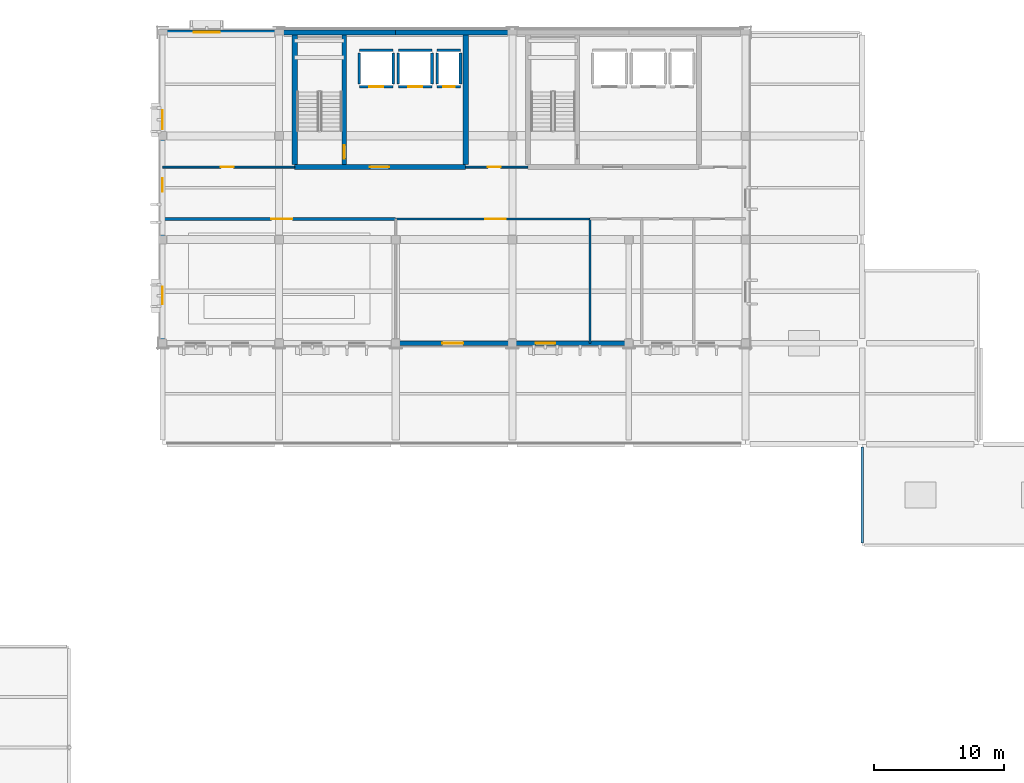
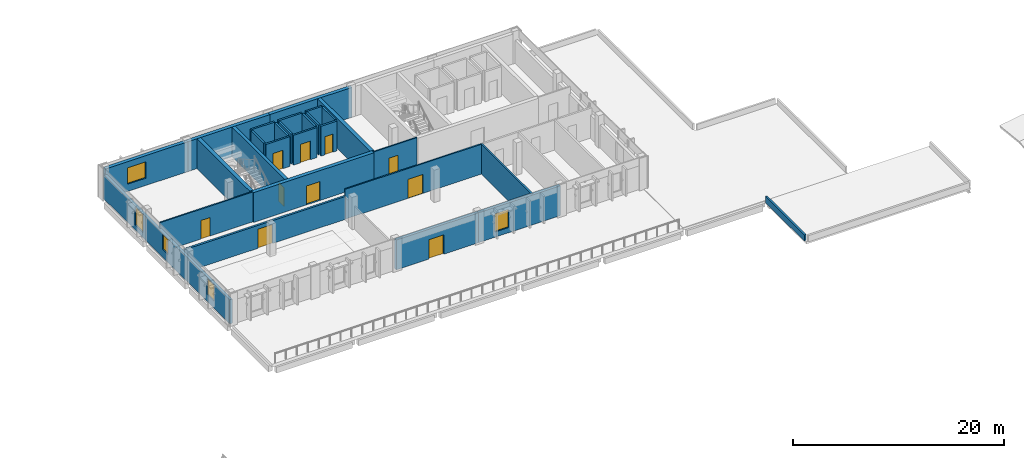
# One storey, part 12 of 23: 28 walls, 10 doors, 5 windows, 15 openings.
"""IFC4 building model written with IfcOpenShell, lengths in metres."""

from ifc_helpers import new_model, si_unit, direction, frame, frame_2d, origin, place, context, subcontext, project, spatial, rectangle, extrude, material, layer, layer_set, type_object, element, fill, save


model = new_model("IFC4")

# Units and contexts
model_context = context("Model", 3, precision=1e-05, world=origin(), true_north=direction((0.0, 1.0)))
body_context = subcontext(model_context, "Body", "Model", "MODEL_VIEW")
ifc_project = project(units=[si_unit("LENGTHUNIT", "METRE"), si_unit("AREAUNIT", "SQUARE_METRE"), si_unit("VOLUMEUNIT", "CUBIC_METRE"), si_unit("PLANEANGLEUNIT", "RADIAN"), si_unit("MASSUNIT", "GRAM", prefix="KILO")], contexts=[model_context])

# Site, building, storey
site_placement = place(None, origin())
site = spatial("IfcSite", under=ifc_project, at=site_placement, CompositionType="ELEMENT")
building_placement = place(site_placement, origin())
building = spatial("IfcBuilding", under=site, at=building_placement, Name="Vervanel Yard Central Library", CompositionType="ELEMENT")
storey_placement = place(building_placement, frame((0.0, 0.0, 16.52001953125)))
storey = spatial("IfcBuildingStorey", under=building, at=storey_placement, Name="L04", CompositionType="ELEMENT", Elevation=16.52001953125)

# Wall, openings, windows
ifc_material_1 = material(Name="Precast concrete C45/55", Category="concrete")
ifc_layer_1 = layer(ifc_material_1, 0.300048828125, Category="concrete")
ifc_layer_set_1 = layer_set([ifc_layer_1], Name="Precast concrete C45/55")
wall_type_1 = type_object("IfcWallType", Name="Bush-Hammered Precast Cladding Wall 300", PredefinedType="SOLIDWALL", material=ifc_layer_set_1)
wall_1_placement = place(storey_placement, frame((36.0, 90.0, 0.0), z_axis=(0.0, 0.0, 1.0), x_axis=(0.0, 1.0, 0.0)))
wall_1 = element("IfcWall", 1, at=wall_1_placement, inside=storey, type_object=wall_type_1, Name="L04 Bush-Hammered Precast Cladding Wall 300 EWALL-L04-0070", PredefinedType="SOLIDWALL", context=body_context, shape_type="SweptSolid", body=[
    extrude(rectangle(XDim=24.0, YDim=0.300048828125, at=frame_2d((12.0, 0.0))), origin(), (0.0, 0.0, 1.0), 2.784912109375),
])
opening_1_placement = place(wall_1_placement, frame((3.0, 0.0, 0.81494140625)))
opening_1 = element("IfcOpeningElement", 2, at=opening_1_placement, cuts=wall_1, Name="Opening WN-17", PredefinedType="OPENING", context=body_context, shape_type="SweptSolid", body=[
    extrude(rectangle(XDim=1.35009765625, YDim=1.85009765625, at=frame_2d((0.675048828125, 0.925048828125))), frame((0.0, 0.159912109375, 0.0), z_axis=(0.0, -1.0, 0.0), x_axis=(1.0, 0.0, 0.0)), (0.0, 0.0, 1.0), 0.320068359375),
])
opening_2_placement = place(wall_1_placement, frame((11.699951171875, 0.0, 0.9150390625)))
opening_2 = element("IfcOpeningElement", 3, at=opening_2_placement, cuts=wall_1, Name="Opening WN-16", PredefinedType="OPENING", context=body_context, shape_type="SweptSolid", body=[
    extrude(rectangle(XDim=1.050048828125, YDim=1.75, at=frame_2d((0.52490234375, 0.875))), frame((0.0, 0.159912109375, 0.0), z_axis=(0.0, -1.0, 0.0), x_axis=(1.0, 0.0, 0.0)), (0.0, 0.0, 1.0), 0.320068359375),
])
opening_3_placement = place(wall_1_placement, frame((16.5, 0.0, 0.56494140625)))
opening_3 = element("IfcOpeningElement", 4, at=opening_3_placement, cuts=wall_1, Name="Opening WN-02", PredefinedType="OPENING", context=body_context, shape_type="SweptSolid", body=[
    extrude(rectangle(XDim=1.5, YDim=2.10009765625, at=frame_2d((0.75, 1.050048828125))), frame((0.0, 0.159912109375, 0.0), z_axis=(0.0, -1.0, 0.0), x_axis=(1.0, 0.0, 0.0)), (0.0, 0.0, 1.0), 0.320068359375),
])
ifc_material_2 = material(Name="Double low-E laminated solar-control glass", Category="glass")
window_type_1 = type_object("IfcWindowType", Name="Archive Office Window 1350x1850", PartitioningType="SINGLE_PANEL", PredefinedType="WINDOW", material=ifc_material_2)
window_1_placement = place(opening_1_placement, origin())
window_1 = element("IfcWindow", 5, at=window_1_placement, inside=storey, type_object=window_type_1, Name="L04 Archive Office Window 1350x1850 95", OverallHeight=1.85009765625, OverallWidth=1.35009765625, PartitioningType="SINGLE_PANEL", PredefinedType="WINDOW", context=body_context, shape_type="SweptSolid", body=[
    extrude(rectangle(XDim=1.35009765625, YDim=1.85009765625, at=frame_2d((0.675048828125, 0.925048828125))), frame((0.0, 0.030029296875, 0.0), z_axis=(0.0, -1.0, 0.0), x_axis=(1.0, 0.0, 0.0)), (0.0, 0.0, 1.0), 0.06005859375),
])
fill(opening_1, window_1)
window_type_2 = type_object("IfcWindowType", Name="Reading Bay Window 1500x2100", PartitioningType="SINGLE_PANEL", PredefinedType="WINDOW", material=ifc_material_2)
window_2_placement = place(opening_3_placement, origin())
window_2 = element("IfcWindow", 6, at=window_2_placement, inside=storey, type_object=window_type_2, Name="L04 Reading Bay Window 1500x2100 97", OverallHeight=2.10009765625, OverallWidth=1.5, PartitioningType="SINGLE_PANEL", PredefinedType="WINDOW", context=body_context, shape_type="SweptSolid", body=[
    extrude(rectangle(XDim=1.5, YDim=2.10009765625, at=frame_2d((0.75, 1.050048828125))), frame((0.0, 0.030029296875, 0.0), z_axis=(0.0, -1.0, 0.0), x_axis=(1.0, 0.0, 0.0)), (0.0, 0.0, 1.0), 0.06005859375),
])
fill(opening_3, window_2)
window_type_3 = type_object("IfcWindowType", Name="Study Carrel Punch Window 1050x1750", PartitioningType="SINGLE_PANEL", PredefinedType="WINDOW", material=ifc_material_2)
window_3_placement = place(opening_2_placement, origin())
window_3 = element("IfcWindow", 7, at=window_3_placement, inside=storey, type_object=window_type_3, Name="L04 Study Carrel Punch Window 1050x1750 96", OverallHeight=1.75, OverallWidth=1.050048828125, PartitioningType="SINGLE_PANEL", PredefinedType="WINDOW", context=body_context, shape_type="SweptSolid", body=[
    extrude(rectangle(XDim=1.050048828125, YDim=1.75, at=frame_2d((0.52490234375, 0.875))), frame((0.0, 0.030029296875, 0.0), z_axis=(0.0, -1.0, 0.0), x_axis=(1.0, 0.0, 0.0)), (0.0, 0.0, 1.0), 0.06005859375),
])
fill(opening_2, window_3)

# Wall, opening, door
ifc_material_3 = material(Name="Concrete C45/55", Category="concrete")
ifc_layer_2 = layer(ifc_material_3, 0.39990234375, Category="concrete")
ifc_layer_set_2 = layer_set([ifc_layer_2], Name="Concrete C45/55")
wall_type_2 = type_object("IfcWallType", Name="Core Primary Shear Wall 400", PredefinedType="SHEAR", material=ifc_layer_set_2)
wall_2_placement = place(storey_placement, frame((46.199951171875, 103.60009765625, 0.0), z_axis=(0.0, 0.0, 1.0), x_axis=(1.0, 0.0, 0.0)))
wall_2 = element("IfcWall", 8, at=wall_2_placement, inside=storey, type_object=wall_type_2, Name="L04 CORE-A Shear Wall S", PredefinedType="SHEAR", context=body_context, shape_type="SweptSolid", body=[
    extrude(rectangle(XDim=13.199951171875, YDim=0.39990234375, at=frame_2d((6.60009765625, 0.0))), origin(), (0.0, 0.0, 1.0), 3.4599609375),
])
opening_4_placement = place(wall_2_placement, frame((5.800048828125, 0.0, 0.0)))
opening_4 = element("IfcOpeningElement", 9, at=opening_4_placement, cuts=wall_2, Name="Opening DR-F02", PredefinedType="OPENING", context=body_context, shape_type="SweptSolid", body=[
    extrude(rectangle(XDim=1.5, YDim=2.199951171875, at=frame_2d((0.75, 1.10009765625))), frame((0.0, 0.2099609375, 0.0), z_axis=(0.0, -1.0, 0.0), x_axis=(1.0, 0.0, 0.0)), (0.0, 0.0, 1.0), 0.419921875),
])
ifc_material_4 = material(Name="Galvanized painted steelwork ASTM A500 Grade C", Category="steel")
door_type_1 = type_object("IfcDoorType", Name="Fire-Rated Lobby Door 1500x2200", OperationType="NOTDEFINED", PredefinedType="DOOR", material=ifc_material_4)
door_1_placement = place(opening_4_placement, origin())
door_1 = element("IfcDoor", 10, at=door_1_placement, inside=storey, type_object=door_type_1, Name="L04 CORE-A Lobby Fire Door", OperationType="DOUBLE_DOOR_SINGLE_SWING", OverallHeight=2.199951171875, OverallWidth=1.5, PredefinedType="DOOR", context=body_context, shape_type="SweptSolid", body=[
    extrude(rectangle(XDim=1.5, YDim=2.199951171875, at=frame_2d((0.75, 1.10009765625))), frame((0.0, 0.02490234375, 0.0), z_axis=(0.0, -1.0, 0.0), x_axis=(1.0, 0.0, 0.0)), (0.0, 0.0, 1.0), 0.050048828125),
])
fill(opening_4, door_1)

# Walls
for number, where, z_axis, x_axis, name in (
    (11, (46.199951171875, 103.800048828125, 0.0), (0.0, 0.0, 1.0), (0.0, 1.0, 0.0), "L04 CORE-A Shear Wall W"),
    (12, (59.39990234375, 103.800048828125, 0.0), (0.0, 0.0, 1.0), (0.0, 1.0, 0.0), "L04 CORE-A Shear Wall E"),
):
    element("IfcWall", number, at=place(storey_placement, frame(where, z_axis=z_axis, x_axis=x_axis)), inside=storey, type_object=wall_type_2, Name=name, PredefinedType="SHEAR", context=body_context, shape_type="SweptSolid", body=[
        extrude(rectangle(XDim=10.010009765625, YDim=0.39990234375, at=frame_2d((5.0048828125, 0.0))), origin(), (0.0, 0.0, 1.0), 3.4599609375),
    ])

# Wall, opening, door
ifc_layer_3 = layer(ifc_material_3, 0.35009765625, Category="concrete")
ifc_layer_set_3 = layer_set([ifc_layer_3], Name="Concrete C45/55")
wall_type_3 = type_object("IfcWallType", Name="Core Secondary Shear Wall 350", PredefinedType="SHEAR", material=ifc_layer_set_3)
wall_3_placement = place(storey_placement, frame((50.02490234375, 103.800048828125, 0.0), z_axis=(0.0, 0.0, 1.0), x_axis=(0.0, 1.0, 0.0)))
wall_3 = element("IfcWall", 13, at=wall_3_placement, inside=storey, type_object=wall_type_3, Name="L04 CORE-A Stair Shaft Wall", PredefinedType="SHEAR", context=body_context, shape_type="SweptSolid", body=[
    extrude(rectangle(XDim=10.010009765625, YDim=0.35009765625, at=frame_2d((5.0048828125, 0.0))), origin(), (0.0, 0.0, 1.0), 3.4599609375),
])
opening_5_placement = place(wall_3_placement, frame((0.449951171875, 0.0, 0.0)))
opening_5 = element("IfcOpeningElement", 14, at=opening_5_placement, cuts=wall_3, Name="Opening DR-F01", PredefinedType="OPENING", context=body_context, shape_type="SweptSolid", body=[
    extrude(rectangle(XDim=1.050048828125, YDim=2.199951171875, at=frame_2d((0.52490234375, 1.10009765625))), frame((0.0, 0.18505859375, 0.0), z_axis=(0.0, -1.0, 0.0), x_axis=(1.0, 0.0, 0.0)), (0.0, 0.0, 1.0), 0.3701171875),
])
door_type_2 = type_object("IfcDoorType", Name="Fire-Rated Stair Exit Door 1050x2200", OperationType="NOTDEFINED", PredefinedType="DOOR", material=ifc_material_4)
door_2_placement = place(opening_5_placement, origin())
door_2 = element("IfcDoor", 15, at=door_2_placement, inside=storey, type_object=door_type_2, Name="L04 CORE-A Stair Door", OperationType="SINGLE_SWING_LEFT", OverallHeight=2.199951171875, OverallWidth=1.050048828125, PredefinedType="DOOR", context=body_context, shape_type="SweptSolid", body=[
    extrude(rectangle(XDim=1.050048828125, YDim=2.199951171875, at=frame_2d((0.52490234375, 1.10009765625))), frame((0.0, 0.02490234375, 0.0), z_axis=(0.0, -1.0, 0.0), x_axis=(1.0, 0.0, 0.0)), (0.0, 0.0, 1.0), 0.050048828125),
])
fill(opening_5, door_2)

ifc_layer_4 = layer(ifc_material_3, 0.340087890625, Category="concrete")
ifc_layer_set_4 = layer_set([ifc_layer_4], Name="Concrete C45/55")
wall_type_4 = type_object("IfcWallType", Name="Exterior Bearing Concrete Frame Wall 340", PredefinedType="SOLIDWALL", material=ifc_layer_set_4)
wall_4_placement = place(storey_placement, frame((54.0, 90.0, 0.0), z_axis=(0.0, 0.0, 1.0), x_axis=(1.0, 0.0, 0.0)))
wall_4 = element("IfcWall", 16, at=wall_4_placement, inside=storey, type_object=wall_type_4, Name="L04 Exterior Bearing Concrete Frame Wall 340 EWALL-L04-0067", PredefinedType="SOLIDWALL", context=body_context, shape_type="SweptSolid", body=[
    extrude(rectangle(XDim=9.0, YDim=0.340087890625, at=frame_2d((4.5, 0.0))), origin(), (0.0, 0.0, 1.0), 3.4599609375),
])
opening_6_placement = place(wall_4_placement, frame((3.60009765625, 0.0, 0.0)))
opening_6 = element("IfcOpeningElement", 17, at=opening_6_placement, cuts=wall_4, Name="Opening DR-T01", PredefinedType="OPENING", context=body_context, shape_type="SweptSolid", body=[
    extrude(rectangle(XDim=1.60009765625, YDim=2.25, at=frame_2d((0.800048828125, 1.125))), frame((0.0, 0.179931640625, 0.0), z_axis=(0.0, -1.0, 0.0), x_axis=(1.0, 0.0, 0.0)), (0.0, 0.0, 1.0), 0.360107421875),
])
ifc_material_5 = material(Name="Thermally broken anodized aluminium 6063-T6", Category="aluminium")
door_type_3 = type_object("IfcDoorType", Name="Roof Garden Terrace Double Door 1600x2250", OperationType="NOTDEFINED", PredefinedType="DOOR", material=ifc_material_5)
door_3_placement = place(opening_6_placement, frame((1.60009765625, 0.0, 0.0), z_axis=(0.0, 0.0, 1.0), x_axis=(-1.0, 0.0, 0.0)))
door_3 = element("IfcDoor", 18, at=door_3_placement, inside=storey, type_object=door_type_3, Name="L04 Roof Garden Terrace Double Door 1600x2250 12", OperationType="DOUBLE_DOOR_SINGLE_SWING", OverallHeight=2.25, OverallWidth=1.60009765625, PredefinedType="DOOR", context=body_context, shape_type="SweptSolid", body=[
    extrude(rectangle(XDim=1.60009765625, YDim=2.25, at=frame_2d((0.800048828125, 1.125))), frame((0.0, 0.02490234375, 0.0), z_axis=(0.0, -1.0, 0.0), x_axis=(1.0, 0.0, 0.0)), (0.0, 0.0, 1.0), 0.050048828125),
])
fill(opening_6, door_3)

# Wall, opening, window
wall_5_placement = place(storey_placement, frame((63.0, 90.0, 0.0), z_axis=(0.0, 0.0, 1.0), x_axis=(1.0, 0.0, 0.0)))
wall_5 = element("IfcWall", 19, at=wall_5_placement, inside=storey, type_object=wall_type_4, Name="L04 Exterior Bearing Concrete Frame Wall 340 EWALL-L04-0068", PredefinedType="SOLIDWALL", context=body_context, shape_type="SweptSolid", body=[
    extrude(rectangle(XDim=9.0, YDim=0.340087890625, at=frame_2d((4.5, 0.0))), origin(), (0.0, 0.0, 1.0), 3.4599609375),
])
opening_7_placement = place(wall_5_placement, frame((1.800048828125, 0.0, 0.610107421875)))
opening_7 = element("IfcOpeningElement", 20, at=opening_7_placement, cuts=wall_5, Name="Opening WN-02", PredefinedType="OPENING", context=body_context, shape_type="SweptSolid", body=[
    extrude(rectangle(XDim=1.5, YDim=2.10009765625, at=frame_2d((0.75, 1.050048828125))), frame((0.0, 0.179931640625, 0.0), z_axis=(0.0, -1.0, 0.0), x_axis=(1.0, 0.0, 0.0)), (0.0, 0.0, 1.0), 0.360107421875),
])
window_4_placement = place(opening_7_placement, origin())
window_4 = element("IfcWindow", 21, at=window_4_placement, inside=storey, type_object=window_type_2, Name="L04 Reading Bay Window 1500x2100 91", OverallHeight=2.10009765625, OverallWidth=1.5, PartitioningType="SINGLE_PANEL", PredefinedType="WINDOW", context=body_context, shape_type="SweptSolid", body=[
    extrude(rectangle(XDim=1.5, YDim=2.10009765625, at=frame_2d((0.75, 1.050048828125))), frame((0.0, 0.030029296875, 0.0), z_axis=(0.0, -1.0, 0.0), x_axis=(1.0, 0.0, 0.0)), (0.0, 0.0, 1.0), 0.06005859375),
])
fill(opening_7, window_4)

ifc_layer_5 = layer(ifc_material_3, 0.3798828125, Category="concrete")
ifc_layer_set_5 = layer_set([ifc_layer_5], Name="Concrete C45/55")
wall_type_5 = type_object("IfcWallType", Name="Exterior Bearing Concrete Spine Wall 380", PredefinedType="SOLIDWALL", material=ifc_layer_set_5)
wall_6_placement = place(storey_placement, frame((36.0, 114.0, 0.0), z_axis=(0.0, 0.0, 1.0), x_axis=(1.0, 0.0, 0.0)))
wall_6 = element("IfcWall", 22, at=wall_6_placement, inside=storey, type_object=wall_type_5, Name="L04 Exterior Bearing Concrete Spine Wall 380 EWALL-L04-0060", PredefinedType="SOLIDWALL", context=body_context, shape_type="SweptSolid", body=[
    extrude(rectangle(XDim=9.0, YDim=0.3798828125, at=frame_2d((4.5, 0.0))), origin(), (0.0, 0.0, 1.0), 3.4599609375),
])
opening_8_placement = place(wall_6_placement, frame((2.39990234375, 0.0, 0.844970703125)))
opening_8 = element("IfcOpeningElement", 23, at=opening_8_placement, cuts=wall_6, Name="Opening WN-13", PredefinedType="OPENING", context=body_context, shape_type="SweptSolid", body=[
    extrude(rectangle(XDim=2.0, YDim=1.89990234375, at=frame_2d((1.0, 0.949951171875))), frame((0.0, 0.199951171875, 0.0), z_axis=(0.0, -1.0, 0.0), x_axis=(1.0, 0.0, 0.0)), (0.0, 0.0, 1.0), 0.39990234375),
])
window_type_4 = type_object("IfcWindowType", Name="Conservation Lab Northlight Window 2000x1900", PartitioningType="SINGLE_PANEL", PredefinedType="WINDOW", material=ifc_material_2)
window_5_placement = place(opening_8_placement, origin())
window_5 = element("IfcWindow", 24, at=window_5_placement, inside=storey, type_object=window_type_4, Name="L04 Conservation Lab Northlight Window 2000x1900 86", OverallHeight=1.89990234375, OverallWidth=2.0, PartitioningType="SINGLE_PANEL", PredefinedType="WINDOW", context=body_context, shape_type="SweptSolid", body=[
    extrude(rectangle(XDim=2.0, YDim=1.89990234375, at=frame_2d((1.0, 0.949951171875))), frame((0.0, 0.030029296875, 0.0), z_axis=(0.0, -1.0, 0.0), x_axis=(1.0, 0.0, 0.0)), (0.0, 0.0, 1.0), 0.06005859375),
])
fill(opening_8, window_5)

# Walls
for number, where, z_axis, x_axis, name in (
    (25, (45.0, 114.0, 0.0), (0.0, 0.0, 1.0), (1.0, 0.0, 0.0), "L04 Exterior Bearing Concrete Spine Wall 380 EWALL-L04-0061"),
    (26, (54.0, 114.0, 0.0), (0.0, 0.0, 1.0), (1.0, 0.0, 0.0), "L04 Exterior Bearing Concrete Spine Wall 380 EWALL-L04-0062"),
):
    element("IfcWall", number, at=place(storey_placement, frame(where, z_axis=z_axis, x_axis=x_axis)), inside=storey, type_object=wall_type_5, Name=name, PredefinedType="SOLIDWALL", context=body_context, shape_type="SweptSolid", body=[
        extrude(rectangle(XDim=9.0, YDim=0.3798828125, at=frame_2d((4.5, 0.0))), origin(), (0.0, 0.0, 1.0), 3.4599609375),
    ])

# Wall, opening, door
ifc_material_6 = material(Name="Fire-rated gypsum board on steel studs", Category="steel")
ifc_layer_6 = layer(ifc_material_6, 0.14990234375, Category="steel")
ifc_layer_set_6 = layer_set([ifc_layer_6], Name="Fire-rated gypsum board on steel studs")
wall_type_6 = type_object("IfcWallType", Name="Interior Partition 150", PredefinedType="PARTITIONING", material=ifc_layer_set_6)
wall_7_placement = place(storey_placement, frame((54.0, 99.60009765625, 0.0), z_axis=(0.0, 0.0, 1.0), x_axis=(1.0, 0.0, 0.0)))
wall_7 = element("IfcWall", 27, at=wall_7_placement, inside=storey, type_object=wall_type_6, Name="L04 Interior Partition 150 IPART-L04-0109", PredefinedType="PARTITIONING", context=body_context, shape_type="SweptSolid", body=[
    extrude(rectangle(XDim=15.0, YDim=0.14990234375, at=frame_2d((7.5, 0.0))), origin(), (0.0, 0.0, 1.0), 3.4599609375),
])
opening_9_placement = place(wall_7_placement, frame((6.89990234375, 0.0, 0.0)))
opening_9 = element("IfcOpeningElement", 28, at=opening_9_placement, cuts=wall_7, Name="Opening DR-04", PredefinedType="OPENING", context=body_context, shape_type="SweptSolid", body=[
    extrude(rectangle(XDim=1.60009765625, YDim=2.199951171875, at=frame_2d((0.800048828125, 1.10009765625))), frame((0.0, 0.0849609375, 0.0), z_axis=(0.0, -1.0, 0.0), x_axis=(1.0, 0.0, 0.0)), (0.0, 0.0, 1.0), 0.169921875),
])
ifc_material_7 = material(Name="Solid white oak acoustic joinery", Category="wood")
door_type_4 = type_object("IfcDoorType", Name="Interior Double Reading Door 1600x2200", OperationType="NOTDEFINED", PredefinedType="DOOR", material=ifc_material_7)
door_4_placement = place(opening_9_placement, origin())
door_4 = element("IfcDoor", 29, at=door_4_placement, inside=storey, type_object=door_type_4, Name="L04 Interior Double Reading Door 1600x2200 IDOOR-L04-0086", OperationType="DOUBLE_DOOR_SINGLE_SWING", OverallHeight=2.199951171875, OverallWidth=1.60009765625, PredefinedType="DOOR", context=body_context, shape_type="SweptSolid", body=[
    extrude(rectangle(XDim=1.60009765625, YDim=2.199951171875, at=frame_2d((0.800048828125, 1.10009765625))), frame((0.0, 0.02490234375, 0.0), z_axis=(0.0, -1.0, 0.0), x_axis=(1.0, 0.0, 0.0)), (0.0, 0.0, 1.0), 0.050048828125),
])
fill(opening_9, door_4)

wall_8_placement = place(storey_placement, frame((36.0, 103.60009765625, 0.0), z_axis=(0.0, 0.0, 1.0), x_axis=(1.0, 0.0, 0.0)))
wall_8 = element("IfcWall", 30, at=wall_8_placement, inside=storey, type_object=wall_type_6, Name="L04 Interior Partition 150 IPART-L04-0117", PredefinedType="PARTITIONING", context=body_context, shape_type="SweptSolid", body=[
    extrude(rectangle(XDim=10.199951171875, YDim=0.14990234375, at=frame_2d((5.10009765625, 0.0))), origin(), (0.0, 0.0, 1.0), 3.4599609375),
])
opening_10_placement = place(wall_8_placement, frame((4.5, 0.0, 0.0)))
opening_10 = element("IfcOpeningElement", 31, at=opening_10_placement, cuts=wall_8, Name="Opening DR-01", PredefinedType="OPENING", context=body_context, shape_type="SweptSolid", body=[
    extrude(rectangle(XDim=1.0, YDim=2.14990234375, at=frame_2d((0.5, 1.074951171875))), frame((0.0, 0.0849609375, 0.0), z_axis=(0.0, -1.0, 0.0), x_axis=(1.0, 0.0, 0.0)), (0.0, 0.0, 1.0), 0.169921875),
])
door_type_5 = type_object("IfcDoorType", Name="Interior Single Door 1000x2150", OperationType="NOTDEFINED", PredefinedType="DOOR", material=ifc_material_7)
door_5_placement = place(opening_10_placement, origin())
door_5 = element("IfcDoor", 32, at=door_5_placement, inside=storey, type_object=door_type_5, Name="L04 Interior Single Door 1000x2150 IDOOR-L04-0090", OperationType="SINGLE_SWING_RIGHT", OverallHeight=2.14990234375, OverallWidth=1.0, PredefinedType="DOOR", context=body_context, shape_type="SweptSolid", body=[
    extrude(rectangle(XDim=1.0, YDim=2.14990234375, at=frame_2d((0.5, 1.074951171875))), frame((0.0, 0.02490234375, 0.0), z_axis=(0.0, -1.0, 0.0), x_axis=(1.0, 0.0, 0.0)), (0.0, 0.0, 1.0), 0.050048828125),
])
fill(opening_10, door_5)

wall_9_placement = place(storey_placement, frame((59.39990234375, 103.60009765625, 0.0), z_axis=(0.0, 0.0, 1.0), x_axis=(1.0, 0.0, 0.0)))
wall_9 = element("IfcWall", 33, at=wall_9_placement, inside=storey, type_object=wall_type_6, Name="L04 Interior Partition 150 IPART-L04-0118", PredefinedType="PARTITIONING", context=body_context, shape_type="SweptSolid", body=[
    extrude(rectangle(XDim=4.800048828125, YDim=0.14990234375, at=frame_2d((2.39990234375, 0.0))), origin(), (0.0, 0.0, 1.0), 3.4599609375),
])
opening_11_placement = place(wall_9_placement, frame((1.699951171875, 0.0, 0.0)))
opening_11 = element("IfcOpeningElement", 34, at=opening_11_placement, cuts=wall_9, Name="Opening DR-01", PredefinedType="OPENING", context=body_context, shape_type="SweptSolid", body=[
    extrude(rectangle(XDim=1.0, YDim=2.14990234375, at=frame_2d((0.5, 1.074951171875))), frame((0.0, 0.0849609375, 0.0), z_axis=(0.0, -1.0, 0.0), x_axis=(1.0, 0.0, 0.0)), (0.0, 0.0, 1.0), 0.169921875),
])
door_6_placement = place(opening_11_placement, origin())
door_6 = element("IfcDoor", 35, at=door_6_placement, inside=storey, type_object=door_type_5, Name="L04 Interior Single Door 1000x2150 IDOOR-L04-0091", OperationType="SINGLE_SWING_LEFT", OverallHeight=2.14990234375, OverallWidth=1.0, PredefinedType="DOOR", context=body_context, shape_type="SweptSolid", body=[
    extrude(rectangle(XDim=1.0, YDim=2.14990234375, at=frame_2d((0.5, 1.074951171875))), frame((0.0, 0.02490234375, 0.0), z_axis=(0.0, -1.0, 0.0), x_axis=(1.0, 0.0, 0.0)), (0.0, 0.0, 1.0), 0.050048828125),
])
fill(opening_11, door_6)

# Walls
ifc_layer_7 = layer(ifc_material_6, 0.179931640625, Category="steel")
ifc_layer_set_7 = layer_set([ifc_layer_7], Name="Fire-rated gypsum board on steel studs")
wall_type_7 = type_object("IfcWallType", Name="Plumbing Chase Wall 180", PredefinedType="PLUMBINGWALL", material=ifc_layer_set_7)
wall_10_placement = place(storey_placement, frame((69.0, 90.0, 0.0), z_axis=(0.0, 0.0, 1.0), x_axis=(0.0, 1.0, 0.0)))
element("IfcWall", 36, at=wall_10_placement, inside=storey, type_object=wall_type_7, Name="L04 Plumbing Chase Wall 180 IPART-L04-0112", PredefinedType="PLUMBINGWALL", context=body_context, shape_type="SweptSolid", body=[
    extrude(rectangle(XDim=9.60009765625, YDim=0.179931640625, at=frame_2d((4.800048828125, 0.0))), origin(), (0.0, 0.0, 1.0), 3.4599609375),
])
ifc_material_8 = material(Name="Concrete C40/50", Category="concrete")
ifc_layer_8 = layer(ifc_material_8, 0.199951171875, Category="concrete")
ifc_layer_set_8 = layer_set([ifc_layer_8], Name="Concrete C40/50")
wall_type_8 = type_object("IfcWallType", Name="Setback Roof Concrete Parapet 200", PredefinedType="PARAPET", material=ifc_layer_set_8)
wall_11_placement = place(storey_placement, frame((90.0, 82.0, 0.0), z_axis=(0.0, 0.0, 1.0), x_axis=(0.0, -1.0, 0.0)))
element("IfcWall", 37, at=wall_11_placement, inside=storey, type_object=wall_type_8, Name="L04 Roof Parapet 29", PredefinedType="PARAPET", context=body_context, shape_type="SweptSolid", body=[
    extrude(rectangle(XDim=7.39990234375, YDim=0.199951171875, at=frame_2d((3.699951171875, 0.0))), origin(), (0.0, 0.0, 1.0), 0.719970703125),
])

# Wall, opening, door
ifc_layer_9 = layer(ifc_material_8, 0.199951171875, Category="concrete")
ifc_layer_set_9 = layer_set([ifc_layer_9], Name="Concrete C40/50")
wall_type_9 = type_object("IfcWallType", Name="Shaft & Plant Rated Wall 200", PredefinedType="PARTITIONING", material=ifc_layer_set_9)
wall_12_placement = place(storey_placement, frame((51.199951171875, 109.800048828125, 0.0), z_axis=(0.0, 0.0, 1.0), x_axis=(1.0, 0.0, 0.0)))
wall_12 = element("IfcWall", 38, at=wall_12_placement, inside=storey, type_object=wall_type_9, Name="L04 CORE-A-L04-EL-01 Shaft Wall S", PredefinedType="PARTITIONING", context=body_context, shape_type="SweptSolid", body=[
    extrude(rectangle(XDim=2.60009765625, YDim=0.199951171875, at=frame_2d((1.300048828125, 0.0))), origin(), (0.0, 0.0, 1.0), 3.4599609375),
])
opening_12_placement = place(wall_12_placement, frame((0.75, 0.0, 0.0)))
opening_12 = element("IfcOpeningElement", 39, at=opening_12_placement, cuts=wall_12, Name="Opening LD-01", PredefinedType="OPENING", context=body_context, shape_type="SweptSolid", body=[
    extrude(rectangle(XDim=1.10009765625, YDim=2.14990234375, at=frame_2d((0.550048828125, 1.074951171875))), frame((0.0, 0.10986328125, 0.0), z_axis=(0.0, -1.0, 0.0), x_axis=(1.0, 0.0, 0.0)), (0.0, 0.0, 1.0), 0.219970703125),
])
ifc_material_9 = material(Name="Brushed stainless steel AISI 316", Category="steel")
door_type_6 = type_object("IfcDoorType", Name="Passenger Lift Sliding Landing Door 1100x2150", OperationType="NOTDEFINED", PredefinedType="DOOR", material=ifc_material_9)
door_7_placement = place(opening_12_placement, origin())
door_7 = element("IfcDoor", 40, at=door_7_placement, inside=storey, type_object=door_type_6, Name="L04 Lift EL-01 Landing Door", OperationType="SLIDING_TO_LEFT", OverallHeight=2.14990234375, OverallWidth=1.10009765625, PredefinedType="DOOR", context=body_context, shape_type="SweptSolid", body=[
    extrude(rectangle(XDim=1.10009765625, YDim=2.14990234375, at=frame_2d((0.550048828125, 1.074951171875))), frame((0.0, 0.02490234375, 0.0), z_axis=(0.0, -1.0, 0.0), x_axis=(1.0, 0.0, 0.0)), (0.0, 0.0, 1.0), 0.050048828125),
])
fill(opening_12, door_7)

# Walls
wall_13_placement = place(storey_placement, frame((51.199951171875, 112.60009765625, 0.0), z_axis=(0.0, 0.0, 1.0), x_axis=(1.0, 0.0, 0.0)))
element("IfcWall", 41, at=wall_13_placement, inside=storey, type_object=wall_type_9, Name="L04 CORE-A-L04-EL-01 Shaft Wall N", PredefinedType="PARTITIONING", context=body_context, shape_type="SweptSolid", body=[
    extrude(rectangle(XDim=2.60009765625, YDim=0.199951171875, at=frame_2d((1.300048828125, 0.0))), origin(), (0.0, 0.0, 1.0), 3.4599609375),
])
for number, where, z_axis, x_axis, name in (
    (42, (51.199951171875, 110.0, 0.0), (0.0, 0.0, 1.0), (0.0, 1.0, 0.0), "L04 CORE-A-L04-EL-01 Shaft Wall W"),
    (43, (53.800048828125, 110.0, 0.0), (0.0, 0.0, 1.0), (0.0, 1.0, 0.0), "L04 CORE-A-L04-EL-01 Shaft Wall E"),
):
    element("IfcWall", number, at=place(storey_placement, frame(where, z_axis=z_axis, x_axis=x_axis)), inside=storey, type_object=wall_type_9, Name=name, PredefinedType="PARTITIONING", context=body_context, shape_type="SweptSolid", body=[
        extrude(rectangle(XDim=2.39990234375, YDim=0.199951171875, at=frame_2d((1.199951171875, 0.0))), origin(), (0.0, 0.0, 1.0), 3.4599609375),
    ])

# Wall, opening, door
wall_14_placement = place(storey_placement, frame((54.199951171875, 109.800048828125, 0.0), z_axis=(0.0, 0.0, 1.0), x_axis=(1.0, 0.0, 0.0)))
wall_14 = element("IfcWall", 44, at=wall_14_placement, inside=storey, type_object=wall_type_9, Name="L04 CORE-A-L04-EL-02 Shaft Wall S", PredefinedType="PARTITIONING", context=body_context, shape_type="SweptSolid", body=[
    extrude(rectangle(XDim=2.60009765625, YDim=0.199951171875, at=frame_2d((1.300048828125, 0.0))), origin(), (0.0, 0.0, 1.0), 3.4599609375),
])
opening_13_placement = place(wall_14_placement, frame((0.75, 0.0, 0.0)))
opening_13 = element("IfcOpeningElement", 45, at=opening_13_placement, cuts=wall_14, Name="Opening LD-01", PredefinedType="OPENING", context=body_context, shape_type="SweptSolid", body=[
    extrude(rectangle(XDim=1.10009765625, YDim=2.14990234375, at=frame_2d((0.550048828125, 1.074951171875))), frame((0.0, 0.10986328125, 0.0), z_axis=(0.0, -1.0, 0.0), x_axis=(1.0, 0.0, 0.0)), (0.0, 0.0, 1.0), 0.219970703125),
])
door_8_placement = place(opening_13_placement, origin())
door_8 = element("IfcDoor", 46, at=door_8_placement, inside=storey, type_object=door_type_6, Name="L04 Lift EL-02 Landing Door", OperationType="SLIDING_TO_RIGHT", OverallHeight=2.14990234375, OverallWidth=1.10009765625, PredefinedType="DOOR", context=body_context, shape_type="SweptSolid", body=[
    extrude(rectangle(XDim=1.10009765625, YDim=2.14990234375, at=frame_2d((0.550048828125, 1.074951171875))), frame((0.0, 0.02490234375, 0.0), z_axis=(0.0, -1.0, 0.0), x_axis=(1.0, 0.0, 0.0)), (0.0, 0.0, 1.0), 0.050048828125),
])
fill(opening_13, door_8)

# Walls
wall_15_placement = place(storey_placement, frame((54.199951171875, 112.60009765625, 0.0), z_axis=(0.0, 0.0, 1.0), x_axis=(1.0, 0.0, 0.0)))
element("IfcWall", 47, at=wall_15_placement, inside=storey, type_object=wall_type_9, Name="L04 CORE-A-L04-EL-02 Shaft Wall N", PredefinedType="PARTITIONING", context=body_context, shape_type="SweptSolid", body=[
    extrude(rectangle(XDim=2.60009765625, YDim=0.199951171875, at=frame_2d((1.300048828125, 0.0))), origin(), (0.0, 0.0, 1.0), 3.4599609375),
])
for number, where, z_axis, x_axis, name in (
    (48, (54.199951171875, 110.0, 0.0), (0.0, 0.0, 1.0), (0.0, 1.0, 0.0), "L04 CORE-A-L04-EL-02 Shaft Wall W"),
    (49, (56.800048828125, 110.0, 0.0), (0.0, 0.0, 1.0), (0.0, 1.0, 0.0), "L04 CORE-A-L04-EL-02 Shaft Wall E"),
):
    element("IfcWall", number, at=place(storey_placement, frame(where, z_axis=z_axis, x_axis=x_axis)), inside=storey, type_object=wall_type_9, Name=name, PredefinedType="PARTITIONING", context=body_context, shape_type="SweptSolid", body=[
        extrude(rectangle(XDim=2.39990234375, YDim=0.199951171875, at=frame_2d((1.199951171875, 0.0))), origin(), (0.0, 0.0, 1.0), 3.4599609375),
    ])

# Wall, opening, door
wall_16_placement = place(storey_placement, frame((57.199951171875, 109.800048828125, 0.0), z_axis=(0.0, 0.0, 1.0), x_axis=(1.0, 0.0, 0.0)))
wall_16 = element("IfcWall", 50, at=wall_16_placement, inside=storey, type_object=wall_type_9, Name="L04 CORE-A-L04-RIS Shaft Wall S", PredefinedType="PARTITIONING", context=body_context, shape_type="SweptSolid", body=[
    extrude(rectangle(XDim=1.800048828125, YDim=0.199951171875, at=frame_2d((0.89990234375, 0.0))), origin(), (0.0, 0.0, 1.0), 3.4599609375),
])
opening_14_placement = place(wall_16_placement, frame((0.449951171875, 0.0, 0.0)))
opening_14 = element("IfcOpeningElement", 51, at=opening_14_placement, cuts=wall_16, Name="Opening DR-03", PredefinedType="OPENING", context=body_context, shape_type="SweptSolid", body=[
    extrude(rectangle(XDim=0.89990234375, YDim=2.10009765625, at=frame_2d((0.449951171875, 1.050048828125))), frame((0.0, 0.10986328125, 0.0), z_axis=(0.0, -1.0, 0.0), x_axis=(1.0, 0.0, 0.0)), (0.0, 0.0, 1.0), 0.219970703125),
])
door_type_7 = type_object("IfcDoorType", Name="Interior Riser Access Door 900x2100", OperationType="NOTDEFINED", PredefinedType="DOOR", material=ifc_material_4)
door_9_placement = place(opening_14_placement, origin())
door_9 = element("IfcDoor", 52, at=door_9_placement, inside=storey, type_object=door_type_7, Name="L04 CORE-A Riser Access Door", OperationType="SINGLE_SWING_RIGHT", OverallHeight=2.10009765625, OverallWidth=0.89990234375, PredefinedType="DOOR", context=body_context, shape_type="SweptSolid", body=[
    extrude(rectangle(XDim=0.89990234375, YDim=2.10009765625, at=frame_2d((0.449951171875, 1.050048828125))), frame((0.0, 0.02490234375, 0.0), z_axis=(0.0, -1.0, 0.0), x_axis=(1.0, 0.0, 0.0)), (0.0, 0.0, 1.0), 0.050048828125),
])
fill(opening_14, door_9)

# Walls
wall_17_placement = place(storey_placement, frame((57.199951171875, 112.60009765625, 0.0), z_axis=(0.0, 0.0, 1.0), x_axis=(1.0, 0.0, 0.0)))
element("IfcWall", 53, at=wall_17_placement, inside=storey, type_object=wall_type_9, Name="L04 CORE-A-L04-RIS Shaft Wall N", PredefinedType="PARTITIONING", context=body_context, shape_type="SweptSolid", body=[
    extrude(rectangle(XDim=1.800048828125, YDim=0.199951171875, at=frame_2d((0.89990234375, 0.0))), origin(), (0.0, 0.0, 1.0), 3.4599609375),
])
for number, where, z_axis, x_axis, name in (
    (54, (57.199951171875, 110.0, 0.0), (0.0, 0.0, 1.0), (0.0, 1.0, 0.0), "L04 CORE-A-L04-RIS Shaft Wall W"),
    (55, (59.0, 110.0, 0.0), (0.0, 0.0, 1.0), (0.0, 1.0, 0.0), "L04 CORE-A-L04-RIS Shaft Wall E"),
):
    element("IfcWall", number, at=place(storey_placement, frame(where, z_axis=z_axis, x_axis=x_axis)), inside=storey, type_object=wall_type_9, Name=name, PredefinedType="PARTITIONING", context=body_context, shape_type="SweptSolid", body=[
        extrude(rectangle(XDim=2.39990234375, YDim=0.199951171875, at=frame_2d((1.199951171875, 0.0))), origin(), (0.0, 0.0, 1.0), 3.4599609375),
    ])

# Wall, opening, door
ifc_layer_10 = layer(ifc_material_3, 0.219970703125, Category="concrete")
ifc_layer_set_10 = layer_set([ifc_layer_10], Name="Concrete C45/55")
wall_type_10 = type_object("IfcWallType", Name="Vault Enclosure Rated Wall 220", PredefinedType="PARTITIONING", material=ifc_layer_set_10)
wall_18_placement = place(storey_placement, frame((36.0, 99.60009765625, 0.0), z_axis=(0.0, 0.0, 1.0), x_axis=(1.0, 0.0, 0.0)))
wall_18 = element("IfcWall", 56, at=wall_18_placement, inside=storey, type_object=wall_type_10, Name="L04 Vault Enclosure Rated Wall 220 IPART-L04-0108", PredefinedType="PARTITIONING", context=body_context, shape_type="SweptSolid", body=[
    extrude(rectangle(XDim=18.0, YDim=0.219970703125, at=frame_2d((9.0, 0.0))), origin(), (0.0, 0.0, 1.0), 2.64990234375),
])
opening_15_placement = place(wall_18_placement, frame((8.39990234375, 0.0, 0.0)))
opening_15 = element("IfcOpeningElement", 57, at=opening_15_placement, cuts=wall_18, Name="Opening DR-F04", PredefinedType="OPENING", context=body_context, shape_type="SweptSolid", body=[
    extrude(rectangle(XDim=1.6201171875, YDim=2.219970703125, at=frame_2d((0.81005859375, 1.10986328125))), frame((0.0, 0.119873046875, 0.0), z_axis=(0.0, -1.0, 0.0), x_axis=(1.0, 0.0, 0.0)), (0.0, 0.0, 1.0), 0.239990234375),
])
door_type_8 = type_object("IfcDoorType", Name="Fire-Rated Vault Double Door 1620x2220", OperationType="NOTDEFINED", PredefinedType="DOOR", material=ifc_material_4)
door_10_placement = place(opening_15_placement, origin())
door_10 = element("IfcDoor", 58, at=door_10_placement, inside=storey, type_object=door_type_8, Name="L04 Fire-Rated Vault Double Door 1620x2220 IDOOR-L04-0085", OperationType="DOUBLE_DOOR_SINGLE_SWING", OverallHeight=2.219970703125, OverallWidth=1.6201171875, PredefinedType="DOOR", context=body_context, shape_type="SweptSolid", body=[
    extrude(rectangle(XDim=1.6201171875, YDim=2.219970703125, at=frame_2d((0.81005859375, 1.10986328125))), frame((0.0, 0.02490234375, 0.0), z_axis=(0.0, -1.0, 0.0), x_axis=(1.0, 0.0, 0.0)), (0.0, 0.0, 1.0), 0.050048828125),
])
fill(opening_15, door_10)

save(model, "model.ifc")
